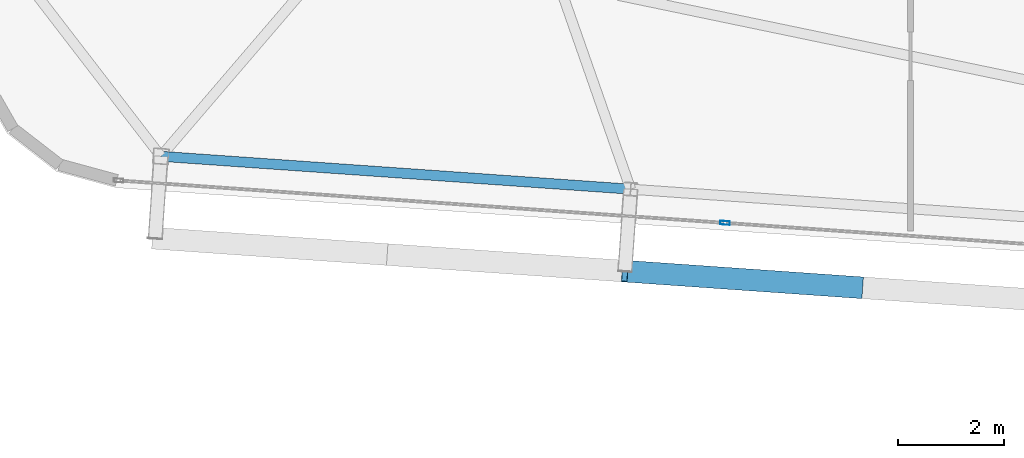
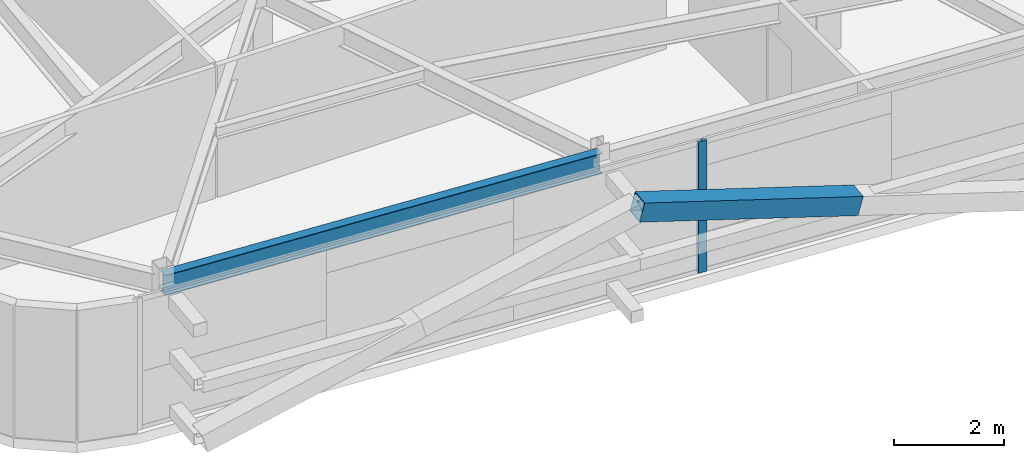
# One storey, part 7 of 39: 2 members, 1 beam, 1 element without a shape of its own.
"""IFC4 building model written with IfcOpenShell, lengths in metres."""

import ifcopenshell
import ifcopenshell.guid

model = None  # the IFC model being written
_history = None  # IfcOwnerHistory: only IFC2X3 demands one
_inside = {}  # id of a spatial element -> (the spatial element, [elements in it])
_under = {}  # id of a project, library or spatial element -> (it, [spatial elements below it])
_declared = {}  # id of a project -> (the project, [libraries it declares])
_typed = {}  # id of a type object -> (the type object, [elements of that type])
_made_of = {}  # id of a material, layer set ... -> (it, [elements and type objects made of it])


def new_model(schema):
    """Start an empty IFC model of exactly this schema.

    Asked for "IFC4X3", IfcOpenShell would pick the latest addendum, in which some entities
    have other attributes; the version numbers below select the first issue.
    IFC2X3 requires an IfcOwnerHistory on every rooted entity: one is made here for all.
    """
    global model, _history
    if schema == "IFC4X3":
        model = ifcopenshell.file(schema_version=(4, 3, 0, 0))
    else:
        model = ifcopenshell.file(schema=schema)
    _inside.clear()
    _under.clear()
    _declared.clear()
    _typed.clear()
    _made_of.clear()
    _history = None
    if model.schema == "IFC2X3":
        org = make("IfcOrganization", Name="unknown")
        user = make(
            "IfcPersonAndOrganization",
            ThePerson=make("IfcPerson", FamilyName="unknown"),
            TheOrganization=org,
        )
        app = make(
            "IfcApplication",
            ApplicationDeveloper=org,
            Version="unknown",
            ApplicationFullName="unknown",
            ApplicationIdentifier="unknown",
        )
        _history = make(
            "IfcOwnerHistory",
            OwningUser=user,
            OwningApplication=app,
            ChangeAction="ADDED",
            CreationDate=0,
        )
    return model


def make(cls, **values):
    """One entity of the class cls with the attributes given. An attribute that is None is left unset."""
    return model.create_entity(
        cls, **{name: value for name, value in values.items() if value is not None}
    )


def rooted(cls, **values):
    """An entity with a GlobalId (a new one), such as an element, a storey or a relation."""
    return make(cls, GlobalId=ifcopenshell.guid.new(), OwnerHistory=_history, **values)


def si_unit(unit_type, name, prefix=None):
    """IfcSIUnit, for example si_unit("LENGTHUNIT", "METRE", prefix="MILLI")."""
    return make("IfcSIUnit", UnitType=unit_type, Prefix=prefix, Name=name)


def assignment(units):
    """IfcUnitAssignment: the units of a project."""
    return None if units is None else make("IfcUnitAssignment", Units=units)


def point(xyz):
    """IfcCartesianPoint."""
    return None if xyz is None else make("IfcCartesianPoint", Coordinates=xyz)


def direction(xyz):
    """IfcDirection."""
    return None if xyz is None else make("IfcDirection", DirectionRatios=xyz)


def frame(location, z_axis=None, x_axis=None):
    """IfcAxis2Placement3D, a coordinate frame: its origin and axes. An axis left out is left unset."""
    return make(
        "IfcAxis2Placement3D",
        Location=point(location),
        Axis=direction(z_axis),
        RefDirection=direction(x_axis),
    )


def frame_2d(location, x_axis=None):
    """IfcAxis2Placement2D, a coordinate frame in the plane: its origin and x axis."""
    return make(
        "IfcAxis2Placement2D", Location=point(location), RefDirection=direction(x_axis)
    )


def origin():
    """The frame at (0, 0, 0) with its axes left unset."""
    return frame((0.0, 0.0, 0.0))


def origin_2d():
    """The frame at (0, 0) in the plane with its x axis left unset."""
    return frame_2d((0.0, 0.0))


def place(relative_to, where):
    """IfcLocalPlacement: puts the frame where relative to a parent placement (None: the world)."""
    return make(
        "IfcLocalPlacement", PlacementRelTo=relative_to, RelativePlacement=where
    )


def context(
    kind, dimensions, precision=None, world=None, true_north=None, identifier=None
):
    """IfcGeometricRepresentationContext, for example the 3D "Model" context."""
    return make(
        "IfcGeometricRepresentationContext",
        ContextIdentifier=identifier,
        ContextType=kind,
        CoordinateSpaceDimension=dimensions,
        Precision=precision,
        WorldCoordinateSystem=world,
        TrueNorth=true_north,
    )


def subcontext(parent, identifier, kind, view, scale=None):
    """IfcGeometricRepresentationSubContext, for example "Body" below "Model"."""
    return make(
        "IfcGeometricRepresentationSubContext",
        ContextIdentifier=identifier,
        ContextType=kind,
        ParentContext=parent,
        TargetScale=scale,
        TargetView=view,
    )


def project(units=None, contexts=None):
    """IfcProject with its units and contexts."""
    return rooted(
        "IfcProject",
        Name="project",
        RepresentationContexts=contexts,
        UnitsInContext=assignment(units),
    )


def spatial(cls, under=None, at=None, **own):
    """A site, building, storey or space (cls), placed at a placement, below another one or the project."""
    s = rooted(cls, ObjectPlacement=at, **own)
    if under is not None:
        _under.setdefault(under.id(), (under, []))[1].append(s)
    return s


def profile(cls, at=None, kind="AREA", **sizes):
    """A parametric profile (cls). Its sizes go by their IFC names, for example OverallWidth=200.0."""
    return make(cls, ProfileType=kind, Position=at, **sizes)


def hollow_rectangle(**sizes):
    """IfcRectangleHollowProfileDef."""
    return profile("IfcRectangleHollowProfileDef", **sizes)


def i_section(**sizes):
    """IfcIShapeProfileDef."""
    return profile("IfcIShapeProfileDef", **sizes)


def extrude(swept, where, along, depth):
    """IfcExtrudedAreaSolid: the profile swept, set in the frame where, extruded along a direction by depth."""
    return make(
        "IfcExtrudedAreaSolid",
        SweptArea=swept,
        Position=where,
        ExtrudedDirection=direction(along),
        Depth=depth,
    )


def shape(context_of_items, identifier, shape_type, items):
    """IfcShapeRepresentation: the items that make up one representation, for example the "Body"."""
    return make(
        "IfcShapeRepresentation",
        ContextOfItems=context_of_items,
        RepresentationIdentifier=identifier,
        RepresentationType=shape_type,
        Items=items,
    )


def source(mapping_origin, context_of_items, identifier, shape_type, items):
    """IfcRepresentationMap: a shape defined once, which mapped items show again and again."""
    return make(
        "IfcRepresentationMap",
        MappingOrigin=mapping_origin,
        MappedRepresentation=shape(context_of_items, identifier, shape_type, items),
    )


def transform(
    local_origin,
    x_axis=None,
    y_axis=None,
    z_axis=None,
    scale=None,
    scale2=None,
    scale3=None,
    uniform=True,
):
    """IfcCartesianTransformationOperator3D, or its non-uniform kind. x_axis, y_axis, z_axis: its Axis1, 2, 3."""
    if uniform:
        return make(
            "IfcCartesianTransformationOperator3D",
            Axis1=direction(x_axis),
            Axis2=direction(y_axis),
            LocalOrigin=point(local_origin),
            Scale=scale,
            Axis3=direction(z_axis),
        )
    return make(
        "IfcCartesianTransformationOperator3DnonUniform",
        Axis1=direction(x_axis),
        Axis2=direction(y_axis),
        LocalOrigin=point(local_origin),
        Scale=scale,
        Axis3=direction(z_axis),
        Scale2=scale2,
        Scale3=scale3,
    )


def mapped(mapping_source, mapping_target):
    """IfcMappedItem: shows the shape of a source again, moved by a transform."""
    return make(
        "IfcMappedItem", MappingSource=mapping_source, MappingTarget=mapping_target
    )


def material(Name=None, Category=None):
    """IfcMaterial."""
    return make("IfcMaterial", Name=Name, Category=Category)


def layer(
    of_material, thickness, ventilated=None, Name=None, Category=None, Priority=None
):
    """IfcMaterialLayer: one layer of a wall or slab, of a material (None: an air gap)."""
    return make(
        "IfcMaterialLayer",
        Material=of_material,
        LayerThickness=thickness,
        IsVentilated=ventilated,
        Name=Name,
        Category=Category,
        Priority=Priority,
    )


def layer_set(layers, Name=None):
    """IfcMaterialLayerSet."""
    return make("IfcMaterialLayerSet", MaterialLayers=layers, LayerSetName=Name)


def material_profile(
    of_material, cross_section, Name=None, Category=None, Priority=None
):
    """IfcMaterialProfile: a cross section and its material."""
    return make(
        "IfcMaterialProfile",
        Name=Name,
        Material=of_material,
        Profile=cross_section,
        Priority=Priority,
        Category=Category,
    )


def profile_set(profiles, Name=None, composite=None):
    """IfcMaterialProfileSet."""
    return make(
        "IfcMaterialProfileSet",
        Name=Name,
        MaterialProfiles=profiles,
        CompositeProfile=composite,
    )


def made_of(thing, what):
    """Note that an element or type object is made of a material, layer set ...; save() writes the relation."""
    if what is not None:
        _made_of.setdefault(what.id(), (what, []))[1].append(thing)
    return thing


def type_object(cls, material=None, **own):
    """A type object (cls), such as IfcWallType, which elements share."""
    return made_of(rooted(cls, **own), material)


def element(
    cls,
    number,
    at=None,
    inside=None,
    cuts=None,
    type_object=None,
    material=None,
    context=None,
    identifier="Body",
    shape_type=None,
    held_by="IfcProductDefinitionShape",
    body=None,
    shapes=None,
    **own,
):
    """One element of the class cls, such as IfcWall. Its Tag is "e" and its number.

    at: its placement. inside: the storey or other place that contains it. cuts: it is an
    opening in that element (IfcRelVoidsElement). A single representation is given by context,
    identifier, shape_type and body (its items); several are given by shapes. held_by: the class
    of the entity that holds the representations. save() writes the other relations.
    """
    e = rooted(cls, Tag="e%d" % number, ObjectPlacement=at, **own)
    if body is not None:
        shapes = [shape(context, identifier, shape_type, body)]
    if shapes is not None:
        e.Representation = make(held_by, Representations=shapes)
    if inside is not None:
        _inside.setdefault(inside.id(), (inside, []))[1].append(e)
    if cuts is not None:
        rooted(
            "IfcRelVoidsElement", RelatingBuildingElement=cuts, RelatedOpeningElement=e
        )
    if type_object is not None:
        _typed.setdefault(type_object.id(), (type_object, []))[1].append(e)
    return made_of(e, material)


def aggregate(whole, parts):
    """IfcRelAggregates: a whole, such as a stair, and the parts it consists of."""
    return rooted("IfcRelAggregates", RelatingObject=whole, RelatedObjects=parts)


def save(model, path):
    """Write the relations noted so far, then the file.

    IfcRelAggregates (storeys below a building ...), IfcRelContainedInSpatialStructure (elements
    in a storey), IfcRelDefinesByType, IfcRelAssociatesMaterial and IfcRelDeclares: one each for
    every whole, place, type object, material and project.
    """
    for whole, parts in _under.values():
        aggregate(whole, parts)
    for where, things in _inside.values():
        rooted(
            "IfcRelContainedInSpatialStructure",
            RelatedElements=things,
            RelatingStructure=where,
        )
    for kind, things in _typed.values():
        rooted("IfcRelDefinesByType", RelatedObjects=things, RelatingType=kind)
    for what, things in _made_of.values():
        rooted("IfcRelAssociatesMaterial", RelatedObjects=things, RelatingMaterial=what)
    for by, libraries in _declared.values():
        rooted("IfcRelDeclares", RelatingContext=by, RelatedDefinitions=libraries)
    model.write(path)


model = new_model("IFC4")

# Units and contexts
model_context = context("Model", 3, precision=1e-05, world=origin(), true_north=direction((0.0, 1.0)))
body_context = subcontext(model_context, "Body", "Model", "MODEL_VIEW")
ifc_project = project(units=[si_unit("LENGTHUNIT", "METRE"), si_unit("AREAUNIT", "SQUARE_METRE"), si_unit("VOLUMEUNIT", "CUBIC_METRE"), si_unit("PLANEANGLEUNIT", "RADIAN"), si_unit("MASSUNIT", "GRAM", prefix="KILO")], contexts=[model_context])

# Site, building, storey
site_placement = place(None, origin())
site = spatial("IfcSite", under=ifc_project, at=site_placement, CompositionType="ELEMENT")
building_placement = place(site_placement, origin())
building = spatial("IfcBuilding", under=site, at=building_placement, Name="Taldren Reach Tower", CompositionType="ELEMENT")
storey_placement = place(building_placement, frame((0.0, 0.0, 126.699951171875)))
storey = spatial("IfcBuildingStorey", under=building, at=storey_placement, Name="L38", CompositionType="ELEMENT", Elevation=126.699951171875)

# Beam
ifc_material_1 = material(Name="Steel Gr 350 (350PLUS)", Category="steel")
ifc_material_profile_1 = material_profile(ifc_material_1, i_section(OverallWidth=0.18994140625, OverallDepth=0.4541015625, WebThickness=0.008544921875, FlangeThickness=0.0126953125, at=origin_2d()), Name="460UB67.1")
ifc_profile_set_1 = profile_set([ifc_material_profile_1], Name="Steel Gr 350 (350PLUS)")
beam_type = type_object("IfcBeamType", Name="SP-UB460B", PredefinedType="SPANDREL", material=ifc_profile_set_1)
shared_shape_1 = source(origin(), body_context, "Body", "SweptSolid", [
    extrude(i_section(OverallWidth=0.18994140625, OverallDepth=0.4541015625, WebThickness=0.008544921875, FlangeThickness=0.0126953125, at=origin_2d()), origin(), (0.0, 0.0, 1.0), 8.880126953125),
])
beam_placement = place(storey_placement, frame((11.863525390625, 5.33837890625, 2.703125), z_axis=(0.997564479639, -0.069750333063, 0.0), x_axis=(0.069750333063, 0.997564479639, 0.0)))
element("IfcBeam", 1, at=beam_placement, inside=storey, type_object=beam_type, Name="Perimeter spandrel B3 S1-S2 L38", PredefinedType="SPANDREL", context=body_context, shape_type="MappedRepresentation", body=[
    mapped(shared_shape_1, transform((0.0, 0.0, 0.0), scale=1.0)),
])

# Member
ifc_material_2 = material(Name="Steel Gr 450 (C450L0)", Category="steel")
ifc_material_profile_2 = material_profile(ifc_material_2, hollow_rectangle(XDim=0.409912109375, YDim=0.409912109375, WallThickness=0.01611328125, at=origin_2d()), Name="410x410x16.0SHS")
ifc_profile_set_2 = profile_set([ifc_material_profile_2], Name="Steel Gr 450 (C450L0)")
member_type_1 = type_object("IfcMemberType", Name="MB-EXO406", PredefinedType="BRACE", material=ifc_profile_set_2)
shared_shape_2 = source(origin(), body_context, "Body", "SweptSolid", [
    extrude(hollow_rectangle(XDim=0.409912109375, YDim=0.409912109375, WallThickness=0.01611328125, at=origin_2d()), origin(), (0.0, 0.0, 1.0), 4.603271484375),
])
member_1_placement = place(storey_placement, frame((25.04296875, 2.863037109375, 1.43505859375), z_axis=(-0.962182351074, 0.067302910567, 0.263961060594), x_axis=(-0.06977769246, -0.997562566276, 0.0)))
element("IfcMember", 2, at=member_1_placement, inside=storey, type_object=member_type_1, Name="Exoskeleton Diagrid Brace B3-S2 L38", PredefinedType="BRACE", context=body_context, shape_type="MappedRepresentation", body=[
    mapped(shared_shape_2, transform((0.0, 0.0, 0.0), scale=1.0)),
])

# Curtain wall, member
ifc_material_3 = material(Name="Aluminium and Low-E Glass Unitised System", Category="aluminium")
ifc_layer = layer(ifc_material_3, 0.159912109375)
ifc_layer_set = layer_set([ifc_layer], Name="Aluminium and Low-E Glass Unitised System")
curtain_wall_type = type_object("IfcCurtainWallType", Name="CW-SYS-4", PredefinedType="NOTDEFINED", material=ifc_layer_set)
curtain_wall_placement = place(storey_placement, origin())
curtain_wall = element("IfcCurtainWall", 3, at=curtain_wall_placement, inside=storey, type_object=curtain_wall_type, Name="Unitised curtain wall CW-L38-S", PredefinedType="NOTDEFINED")
ifc_material_4 = material(Name="Anodised Aluminium 6063-T6", Category="aluminium")
ifc_material_profile_3 = material_profile(ifc_material_4, hollow_rectangle(XDim=0.070068359375, YDim=0.179931640625, WallThickness=0.00390625, at=origin_2d()), Name="ALU-180x70x4RHS")
ifc_profile_set_3 = profile_set([ifc_material_profile_3], Name="Anodised Aluminium 6063-T6")
member_type_2 = type_object("IfcMemberType", Name="CW-MUL-180", PredefinedType="MULLION", material=ifc_profile_set_3)
shared_shape_3 = source(origin(), body_context, "Body", "SweptSolid", [
    extrude(hollow_rectangle(XDim=0.070068359375, YDim=0.179931640625, WallThickness=0.00390625, at=origin_2d()), origin(), (0.0, 0.0, 1.0), 2.929931640625),
])
member_2_placement = place(storey_placement, frame((22.501953125, 4.083251953125, 0.0), z_axis=(0.0, 0.0, 1.0), x_axis=(0.06975651593, 0.99756404731, 0.0)))
member_2 = element("IfcMember", 4, at=member_2_placement, type_object=member_type_2, Name="CW-4 mullion 2", PredefinedType="MULLION", context=body_context, shape_type="MappedRepresentation", body=[
    mapped(shared_shape_3, transform((0.0, 0.0, 0.0), scale=1.0)),
])
aggregate(curtain_wall, [member_2])

save(model, "model.ifc")
